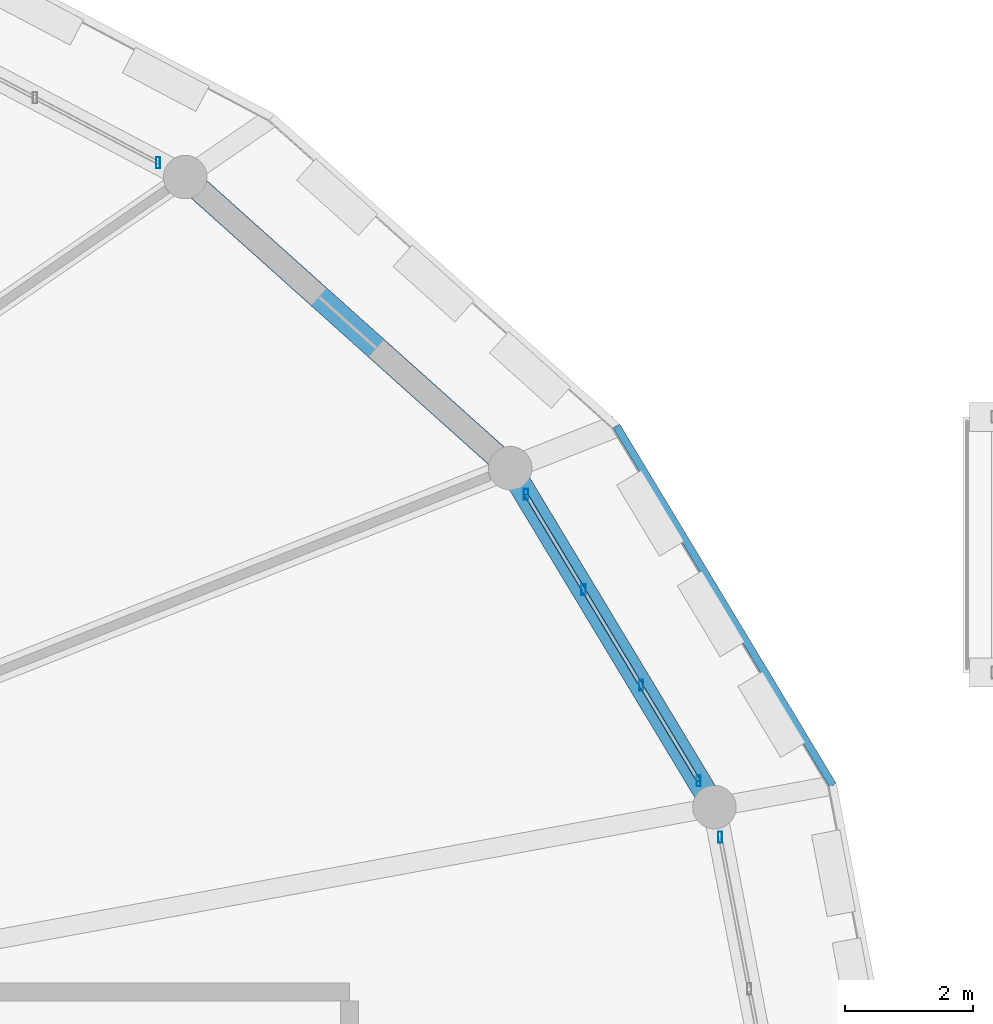
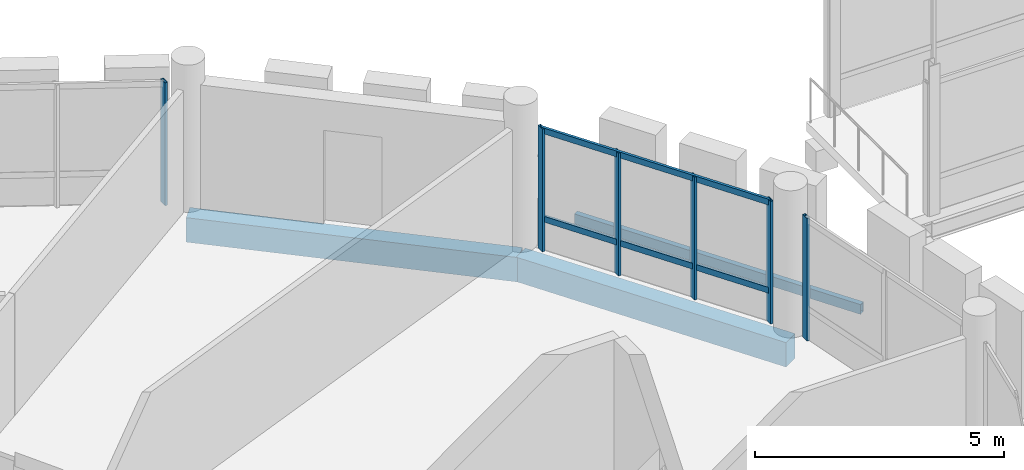
# One storey, part 74 of 128: 8 members, 3 beams, 3 elements without a shape of their own.
"""IFC4 building model written with IfcOpenShell, lengths in metres."""

from ifc_helpers import new_model, si_unit, direction, frame, origin, origin_2d, place, context, subcontext, project, spatial, rectangle, hollow_rectangle, extrude, material, material_profile, profile_set, type_object, element, aggregate, save


model = new_model("IFC4")

# Units and contexts
model_context = context("Model", 3, precision=1e-05, world=origin(), true_north=direction((0.0, 1.0)))
body_context = subcontext(model_context, "Body", "Model", "MODEL_VIEW")
ifc_project = project(units=[si_unit("LENGTHUNIT", "METRE"), si_unit("AREAUNIT", "SQUARE_METRE"), si_unit("VOLUMEUNIT", "CUBIC_METRE"), si_unit("PLANEANGLEUNIT", "RADIAN"), si_unit("MASSUNIT", "GRAM", prefix="KILO")], contexts=[model_context])

# Site, building, storey
site_placement = place(None, origin())
site = spatial("IfcSite", under=ifc_project, at=site_placement, CompositionType="ELEMENT")
building_placement = place(site_placement, origin())
building = spatial("IfcBuilding", under=site, at=building_placement, Name="Zornivar Specialist Clinic", CompositionType="ELEMENT")
storey_placement = place(building_placement, frame((0.0, 0.0, 4.5)))
storey = spatial("IfcBuildingStorey", under=building, at=storey_placement, Name="L01", CompositionType="ELEMENT", Elevation=4.5)

# Beams
ifc_material_1 = material(Name="Concrete C30/37", Category="concrete")
ifc_material_profile_1 = material_profile(ifc_material_1, rectangle(XDim=0.3701171875, YDim=0.60009765625, at=origin_2d()), Name="RC 370x600")
ifc_profile_set_1 = profile_set([ifc_material_profile_1], Name="Concrete C30/37")
beam_type_1 = type_object("IfcBeamType", Name="BM-RC-SPANDREL-370x600", PredefinedType="SPANDREL", material=ifc_profile_set_1)
beam_1_placement = place(storey_placement, frame((124.510009765625, 63.2939453125, -0.5400390625), z_axis=(-0.516077084803, 0.856542142887, 0.0), x_axis=(-0.856542142887, -0.516077084803, 0.0)))
element("IfcBeam", 1, at=beam_1_placement, inside=storey, type_object=beam_type_1, Name="bm:V1:L01:outring:01", PredefinedType="SPANDREL", context=body_context, shape_type="SweptSolid", body=[
    extrude(rectangle(XDim=0.3701171875, YDim=0.60009765625, at=origin_2d()), origin(), (0.0, 0.0, 1.0), 6.19482421875),
])
beam_2_placement = place(storey_placement, frame((121.31298828125, 68.60009765625, -0.5400390625), z_axis=(-0.744853105459, 0.66722848507, 0.0), x_axis=(-0.66722848507, -0.744853105459, 0.0)))
element("IfcBeam", 2, at=beam_2_placement, inside=storey, type_object=beam_type_1, Name="bm:V1:L01:outring:02", PredefinedType="SPANDREL", context=body_context, shape_type="SweptSolid", body=[
    extrude(rectangle(XDim=0.3701171875, YDim=0.60009765625, at=origin_2d()), origin(), (0.0, 0.0, 1.0), 6.828125),
])
ifc_material_2 = material(Name="Steel S355J2", Category="steel")
ifc_material_profile_2 = material_profile(ifc_material_2, hollow_rectangle(XDim=0.1201171875, YDim=0.239990234375, WallThickness=0.008056640625, at=origin_2d()), Name="RHS 240x120x8")
ifc_profile_set_2 = profile_set([ifc_material_profile_2], Name="Steel S355J2")
beam_type_2 = type_object("IfcBeamType", Name="BM-STL-RHS240", PredefinedType="JOIST", material=ifc_profile_set_2)
beam_3_placement = place(storey_placement, frame((126.364013671875, 63.635986328125, -0.360107421875), z_axis=(-0.516009675347, 0.856582754291, 0.0), x_axis=(-0.856582754291, -0.516009675347, 0.0)))
element("IfcBeam", 3, at=beam_3_placement, inside=storey, type_object=beam_type_2, Name="bm:V1:L01:balring:01", PredefinedType="JOIST", context=body_context, shape_type="SweptSolid", body=[
    extrude(hollow_rectangle(XDim=0.1201171875, YDim=0.239990234375, WallThickness=0.008056640625, at=origin_2d()), origin(), (0.0, 0.0, 1.0), 6.565673828125),
])

# Curtain wall, member
ifc_material_3 = material(Name="Aluminium and Low-E Glass Curtain Wall", Category="aluminium")
curtain_wall_type = type_object("IfcCurtainWallType", Name="CW-DRUM-FACET", PredefinedType="NOTDEFINED", material=ifc_material_3)
curtain_wall_1_placement = place(storey_placement, origin())
curtain_wall_1 = element("IfcCurtainWall", 4, at=curtain_wall_1_placement, inside=storey, type_object=curtain_wall_type, Name="cw:V1:L01:c00", PredefinedType="NOTDEFINED")
ifc_material_4 = material(Name="Aluminium AW-6060", Category="aluminium")
ifc_material_profile_3 = material_profile(ifc_material_4, hollow_rectangle(XDim=0.06494140625, YDim=0.175048828125, WallThickness=0.00439453125, at=origin_2d()), Name="ALU 65x175x4.5")
ifc_profile_set_3 = profile_set([ifc_material_profile_3], Name="Aluminium AW-6060")
member_type_1 = type_object("IfcMemberType", Name="CWM-MUL-175", PredefinedType="MULLION", material=ifc_profile_set_3)
member_1_placement = place(storey_placement, frame((124.60009765625, 62.822998046875, 0.0), z_axis=(0.0, 0.0, 1.0), x_axis=(1.0, 0.0, 0.0)))
member_1 = element("IfcMember", 5, at=member_1_placement, type_object=member_type_1, Name="cw:V1:L01:c00:mul:2", PredefinedType="MULLION", context=body_context, shape_type="SweptSolid", body=[
    extrude(hollow_rectangle(XDim=0.06494140625, YDim=0.175048828125, WallThickness=0.00439453125, at=origin_2d()), origin(), (0.0, 0.0, 1.0), 3.010009765625),
])
aggregate(curtain_wall_1, [member_1])

# Curtain wall, members
curtain_wall_2_placement = place(storey_placement, origin())
curtain_wall_2 = element("IfcCurtainWall", 6, at=curtain_wall_2_placement, inside=storey, type_object=curtain_wall_type, Name="cw:V1:L01:c01", PredefinedType="NOTDEFINED")
member_2_placement = place(storey_placement, frame((124.261962890625, 63.705078125, 0.0), z_axis=(0.0, 0.0, 1.0), x_axis=(1.0, 0.0, 0.0)))
member_2 = element("IfcMember", 7, at=member_2_placement, type_object=member_type_1, Name="cw:V1:L01:c01:mul:0", PredefinedType="MULLION", context=body_context, shape_type="SweptSolid", body=[
    extrude(hollow_rectangle(XDim=0.06494140625, YDim=0.175048828125, WallThickness=0.00439453125, at=origin_2d()), origin(), (0.0, 0.0, 1.0), 3.010009765625),
])
member_3_placement = place(storey_placement, frame((123.362060546875, 65.199951171875, 0.0), z_axis=(0.0, 0.0, 1.0), x_axis=(1.0, 0.0, 0.0)))
member_3 = element("IfcMember", 8, at=member_3_placement, type_object=member_type_1, Name="cw:V1:L01:c01:mul:1", PredefinedType="MULLION", context=body_context, shape_type="SweptSolid", body=[
    extrude(hollow_rectangle(XDim=0.06494140625, YDim=0.175048828125, WallThickness=0.00439453125, at=origin_2d()), origin(), (0.0, 0.0, 1.0), 3.010009765625),
])
member_4_placement = place(storey_placement, frame((122.4609375, 66.695068359375, 0.0), z_axis=(0.0, 0.0, 1.0), x_axis=(1.0, 0.0, 0.0)))
member_4 = element("IfcMember", 9, at=member_4_placement, type_object=member_type_1, Name="cw:V1:L01:c01:mul:2", PredefinedType="MULLION", context=body_context, shape_type="SweptSolid", body=[
    extrude(hollow_rectangle(XDim=0.06494140625, YDim=0.175048828125, WallThickness=0.00439453125, at=origin_2d()), origin(), (0.0, 0.0, 1.0), 3.010009765625),
])
member_5_placement = place(storey_placement, frame((121.56103515625, 68.18896484375, 0.0), z_axis=(0.0, 0.0, 1.0), x_axis=(1.0, 0.0, 0.0)))
member_5 = element("IfcMember", 10, at=member_5_placement, type_object=member_type_1, Name="cw:V1:L01:c01:mul:3", PredefinedType="MULLION", context=body_context, shape_type="SweptSolid", body=[
    extrude(hollow_rectangle(XDim=0.06494140625, YDim=0.175048828125, WallThickness=0.00439453125, at=origin_2d()), origin(), (0.0, 0.0, 1.0), 3.010009765625),
])

# Curtain wall, member
curtain_wall_3_placement = place(storey_placement, origin())
curtain_wall_3 = element("IfcCurtainWall", 11, at=curtain_wall_3_placement, inside=storey, type_object=curtain_wall_type, Name="cw:V1:L01:c03", PredefinedType="NOTDEFINED")
member_6_placement = place(storey_placement, frame((115.802978515625, 73.3798828125, 0.0), z_axis=(0.0, 0.0, 1.0), x_axis=(1.0, 0.0, 0.0)))
member_6 = element("IfcMember", 12, at=member_6_placement, type_object=member_type_1, Name="cw:V1:L01:c03:mul:0", PredefinedType="MULLION", context=body_context, shape_type="SweptSolid", body=[
    extrude(hollow_rectangle(XDim=0.06494140625, YDim=0.175048828125, WallThickness=0.00439453125, at=origin_2d()), origin(), (0.0, 0.0, 1.0), 3.010009765625),
])
aggregate(curtain_wall_3, [member_6])

# Member
ifc_material_5 = material(Name="Aluminium AW-6060", Category="aluminium")
ifc_material_profile_4 = material_profile(ifc_material_5, hollow_rectangle(XDim=0.06005859375, YDim=0.14501953125, WallThickness=0.00390625, at=origin_2d()), Name="ALU 60x145x4")
ifc_profile_set_4 = profile_set([ifc_material_profile_4], Name="Aluminium AW-6060")
member_type_2 = type_object("IfcMemberType", Name="CWM-TRN-145", PredefinedType="USERDEFINED", material=ifc_profile_set_4)
member_7_placement = place(storey_placement, frame((124.261962890625, 63.705078125, 0.782958984375), z_axis=(-0.515983359641, 0.856598606451, 0.0), x_axis=(-0.856598606451, -0.515983359641, 0.0)))
member_7 = element("IfcMember", 13, at=member_7_placement, type_object=member_type_2, Name="cw:V1:L01:c01:trn:0", ObjectType="TRANSOM", PredefinedType="USERDEFINED", context=body_context, shape_type="SweptSolid", body=[
    extrude(hollow_rectangle(XDim=0.06005859375, YDim=0.14501953125, WallThickness=0.00390625, at=origin_2d()), origin(), (0.0, 0.0, 1.0), 5.234619140625),
])

member_8_placement = place(storey_placement, frame((124.261962890625, 63.705078125, 2.945068359375), z_axis=(-0.515983359641, 0.856598606451, 0.0), x_axis=(-0.856598606451, -0.515983359641, 0.0)))
member_8 = element("IfcMember", 14, at=member_8_placement, type_object=member_type_2, Name="cw:V1:L01:c01:trn:1", ObjectType="TRANSOM", PredefinedType="USERDEFINED", context=body_context, shape_type="SweptSolid", body=[
    extrude(hollow_rectangle(XDim=0.06005859375, YDim=0.14501953125, WallThickness=0.00390625, at=origin_2d()), origin(), (0.0, 0.0, 1.0), 5.234619140625),
])

aggregate(curtain_wall_2, [member_2, member_3, member_4, member_5, member_7, member_8])

save(model, "model.ifc")
